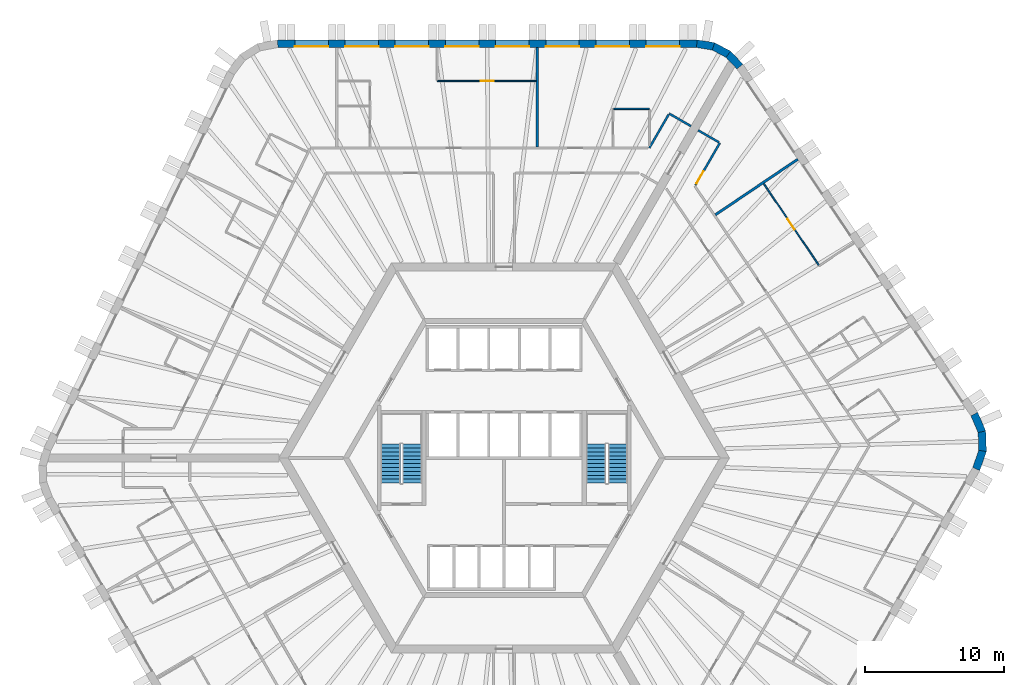
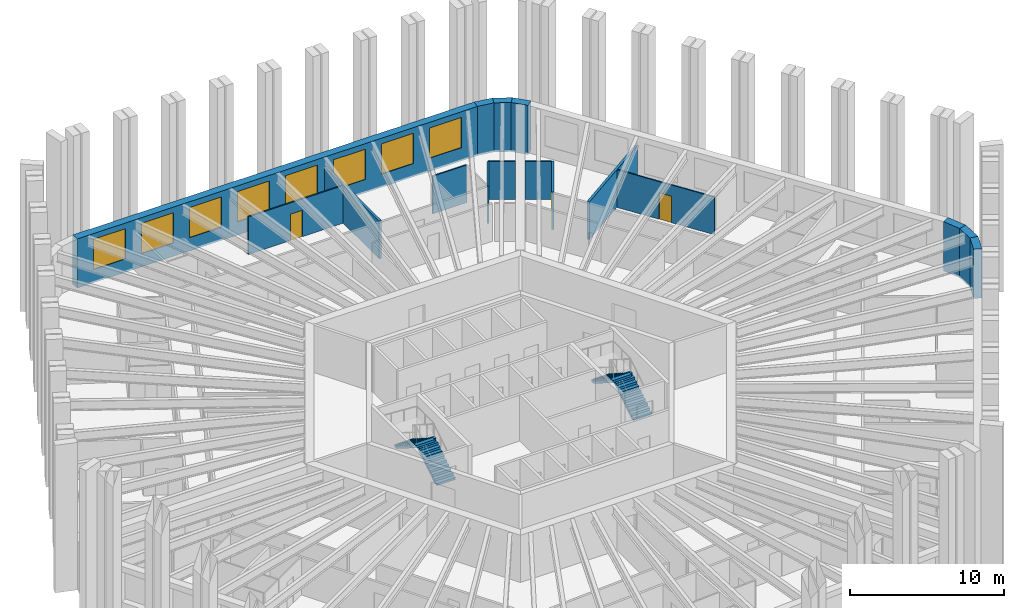
# One storey, part 10 of 12: 16 walls, 8 windows, 4 stair flights, 3 doors, 11 openings, 2 elements without a shape of their own.
"""IFC4 building model written with IfcOpenShell, lengths in metres."""

from ifc_helpers import new_model, si_unit, direction, frame, frame_2d, origin, place, context, subcontext, project, spatial, polyline, rectangle, outline, extrude, material, layer, layer_set, type_object, element, fill, aggregate, save


model = new_model("IFC4")

# Units and contexts
model_context = context("Model", 3, precision=1e-05, world=origin(), true_north=direction((0.0, 1.0)))
body_context = subcontext(model_context, "Body", "Model", "MODEL_VIEW")
ifc_project = project(units=[si_unit("LENGTHUNIT", "METRE"), si_unit("AREAUNIT", "SQUARE_METRE"), si_unit("VOLUMEUNIT", "CUBIC_METRE"), si_unit("PLANEANGLEUNIT", "RADIAN"), si_unit("MASSUNIT", "GRAM", prefix="KILO")], contexts=[model_context])

# Site, building, storey
site_placement = place(None, origin())
site = spatial("IfcSite", under=ifc_project, at=site_placement, CompositionType="ELEMENT")
building_placement = place(site_placement, origin())
building = spatial("IfcBuilding", under=site, at=building_placement, Name="Tarnside Tower", CompositionType="ELEMENT")
storey_placement = place(building_placement, frame((0.0, 0.0, 99.89990234375)))
storey = spatial("IfcBuildingStorey", under=building, at=storey_placement, Name="L22", CompositionType="ELEMENT", Elevation=99.89990234375)

# Walls
ifc_material_1 = material(Name="Gypsum board partition on steel studs", Category="steel")
ifc_layer_1 = layer(ifc_material_1, 0.10009765625)
ifc_layer_set_1 = layer_set([ifc_layer_1], Name="Bathroom wall 100")
wall_type_1 = type_object("IfcWallType", Name="Bathroom wall 100", PredefinedType="PARTITIONING", material=ifc_layer_set_1)
wall_1_placement = place(storey_placement, frame((7.87109375, 25.050048828125, 0.0), z_axis=(0.0, 0.0, 1.0), x_axis=(1.0, 0.0, 0.0)))
element("IfcWall", 1, at=wall_1_placement, inside=storey, type_object=wall_type_1, Name="Bathroom wall 07077", PredefinedType="PARTITIONING", context=body_context, shape_type="SweptSolid", body=[
    extrude(rectangle(XDim=2.550048828125, YDim=0.10009765625, at=frame_2d((1.27490234375, 0.0))), origin(), (0.0, 0.0, 1.0), 2.98779296875),
])
ifc_layer_2 = layer(ifc_material_1, 0.14990234375)
ifc_layer_set_2 = layer_set([ifc_layer_2], Name="Corridor wall 150 EI 60")
wall_type_2 = type_object("IfcWallType", Name="Corridor wall 150 EI 60", PredefinedType="PARTITIONING", material=ifc_layer_set_2)
wall_2_placement = place(storey_placement, frame((13.400390625, 23.81005859375, 0.0), z_axis=(0.0, 0.0, 1.0), x_axis=(-0.865989075817, 0.500062916607, 0.0)))
element("IfcWall", 2, at=wall_2_placement, inside=storey, type_object=wall_type_2, Name="Corridor wall 07002", PredefinedType="PARTITIONING", context=body_context, shape_type="SweptSolid", body=[
    extrude(rectangle(XDim=1.800048828125, YDim=0.14990234375, at=frame_2d((0.89990234375, 0.0))), origin(), (0.0, 0.0, 1.0), 2.98779296875),
])
wall_3_placement = place(storey_placement, frame((11.803955078125, 24.64501953125, 0.0), z_axis=(0.0, 0.0, 1.0), x_axis=(-0.500012835235, -0.866017993231, 0.0)))
element("IfcWall", 3, at=wall_3_placement, inside=storey, type_object=wall_type_2, Name="Corridor wall 07003", PredefinedType="PARTITIONING", context=body_context, shape_type="SweptSolid", body=[
    extrude(rectangle(XDim=2.765625, YDim=0.14990234375, at=frame_2d((1.3828125, 0.0))), origin(), (0.0, 0.0, 1.0), 2.98779296875),
])

# Wall, opening, door
wall_4_placement = place(storey_placement, frame((13.72607421875, 19.573974609375, 0.0), z_axis=(0.0, 0.0, 1.0), x_axis=(0.499951531933, 0.866053385028, 0.0)))
wall_4 = element("IfcWall", 4, at=wall_4_placement, inside=storey, type_object=wall_type_2, Name="Corridor wall 07065", PredefinedType="PARTITIONING", context=body_context, shape_type="SweptSolid", body=[
    extrude(rectangle(XDim=3.505615234375, YDim=0.14990234375, at=frame_2d((1.7529296875, 0.0))), origin(), (0.0, 0.0, 1.0), 2.98779296875),
])
opening_1_placement = place(wall_4_placement, frame((0.14990234375, 0.0, 0.0)))
opening_1 = element("IfcOpeningElement", 5, at=opening_1_placement, cuts=wall_4, Name="Opening D-E1", PredefinedType="OPENING", context=body_context, shape_type="SweptSolid", body=[
    extrude(rectangle(XDim=1.0, YDim=2.10009765625, at=frame_2d((0.5, 1.050048828125))), frame((0.0, 0.0849609375, 0.0), z_axis=(0.0, -1.0, 0.0), x_axis=(1.0, 0.0, 0.0)), (0.0, 0.0, 1.0), 0.169921875),
])
ifc_material_2 = material(Name="Timber door leaf", Category="wood")
door_type_1 = type_object("IfcDoorType", Name="Unit entrance door 1000 FD30S", OperationType="NOTDEFINED", PredefinedType="DOOR", material=ifc_material_2)
door_1_placement = place(opening_1_placement, origin())
door_1 = element("IfcDoor", 6, at=door_1_placement, inside=storey, type_object=door_type_1, Name="Unit door 07041", OperationType="SINGLE_SWING_RIGHT", OverallHeight=2.10009765625, OverallWidth=1.0, PredefinedType="DOOR", context=body_context, shape_type="SweptSolid", body=[
    extrude(rectangle(XDim=1.0, YDim=2.10009765625, at=frame_2d((0.5, 1.050048828125))), frame((0.0, 0.02490234375, 0.0), z_axis=(0.0, -1.0, 0.0), x_axis=(1.0, 0.0, 0.0)), (0.0, 0.0, 1.0), 0.050048828125),
])
fill(opening_1, door_1)

# Walls
wall_5_placement = place(storey_placement, frame((15.413818359375, 22.647705078125, 0.0), z_axis=(0.0, 0.0, 1.0), x_axis=(-0.866074815912, 0.499914405916, 0.0)))
element("IfcWall", 7, at=wall_5_placement, inside=storey, type_object=wall_type_2, Name="Corridor wall 07066", PredefinedType="PARTITIONING", context=body_context, shape_type="SweptSolid", body=[
    extrude(rectangle(XDim=1.724853515625, YDim=0.14990234375, at=frame_2d((0.8623046875, 0.0))), origin(), (0.0, 0.0, 1.0), 2.98779296875),
])
ifc_layer_3 = layer(ifc_material_1, 0.179931640625)
ifc_layer_set_3 = layer_set([ifc_layer_3], Name="Demising wall 180 EI 60")
wall_type_3 = type_object("IfcWallType", Name="Demising wall 180 EI 60", PredefinedType="PARTITIONING", material=ifc_layer_set_3)
for number, where, z_axis, x_axis, name in (
    (8, (2.388916015625, 29.449951171875, 0.0), (0.0, 0.0, 1.0), (0.0, -1.0, 0.0), "Demising wall 07079"),
    (9, (21.066162109375, 21.433349609375, 0.0), (0.0, 0.0, 1.0), (-0.829022625118, -0.559215063318, 0.0), "Demising wall 07156"),
):
    element("IfcWall", number, at=place(storey_placement, frame(where, z_axis=z_axis, x_axis=x_axis)), inside=storey, type_object=wall_type_3, Name=name, PredefinedType="PARTITIONING", context=body_context, shape_type="SweptSolid", body=[
        extrude(rectangle(XDim=7.125, YDim=0.179931640625, at=frame_2d((3.5625, 0.0))), origin(), (0.0, 0.0, 1.0), 2.98779296875),
    ])

# Wall, opening, door
ifc_layer_4 = layer(ifc_material_1, 0.10009765625)
ifc_layer_set_4 = layer_set([ifc_layer_4], Name="Partition 100")
wall_type_4 = type_object("IfcWallType", Name="Partition 100", PredefinedType="PARTITIONING", material=ifc_layer_set_4)
wall_6_placement = place(storey_placement, frame((2.298828125, 27.050048828125, 0.0), z_axis=(0.0, 0.0, 1.0), x_axis=(-1.0, 0.0, 0.0)))
wall_6 = element("IfcWall", 10, at=wall_6_placement, inside=storey, type_object=wall_type_4, Name="Partition wall 07084", PredefinedType="PARTITIONING", context=body_context, shape_type="SweptSolid", body=[
    extrude(rectangle(XDim=7.10986328125, YDim=0.10009765625, at=frame_2d((3.554931640625, 0.0))), origin(), (0.0, 0.0, 1.0), 2.98779296875),
])
opening_2_placement = place(wall_6_placement, frame((3.06005859375, 0.0, 0.0)))
opening_2 = element("IfcOpeningElement", 11, at=opening_2_placement, cuts=wall_6, Name="Opening D-I1", PredefinedType="OPENING", context=body_context, shape_type="SweptSolid", body=[
    extrude(rectangle(XDim=0.89990234375, YDim=2.10009765625, at=frame_2d((0.449951171875, 1.050048828125))), frame((0.0, 0.06005859375, 0.0), z_axis=(0.0, -1.0, 0.0), x_axis=(1.0, 0.0, 0.0)), (0.0, 0.0, 1.0), 0.1201171875),
])
door_type_2 = type_object("IfcDoorType", Name="Internal door 900", OperationType="NOTDEFINED", PredefinedType="DOOR", material=ifc_material_2)
door_2_placement = place(opening_2_placement, origin())
door_2 = element("IfcDoor", 12, at=door_2_placement, inside=storey, type_object=door_type_2, Name="Internal door 07006", OperationType="SINGLE_SWING_RIGHT", OverallHeight=2.10009765625, OverallWidth=0.89990234375, PredefinedType="DOOR", context=body_context, shape_type="SweptSolid", body=[
    extrude(rectangle(XDim=0.89990234375, YDim=2.10009765625, at=frame_2d((0.449951171875, 1.050048828125))), frame((0.0, 0.02490234375, 0.0), z_axis=(0.0, -1.0, 0.0), x_axis=(1.0, 0.0, 0.0)), (0.0, 0.0, 1.0), 0.050048828125),
])
fill(opening_2, door_2)

wall_7_placement = place(storey_placement, frame((22.577392578125, 13.828125, 0.0), z_axis=(0.0, 0.0, 1.0), x_axis=(-0.559200813603, 0.829032237049, 0.0)))
wall_7 = element("IfcWall", 13, at=wall_7_placement, inside=storey, type_object=wall_type_4, Name="Partition wall 07155", PredefinedType="PARTITIONING", context=body_context, shape_type="SweptSolid", body=[
    extrude(rectangle(XDim=7.06005859375, YDim=0.10009765625, at=frame_2d((3.530029296875, 0.0))), origin(), (0.0, 0.0, 1.0), 2.98779296875),
])
opening_3_placement = place(wall_7_placement, frame((3.10009765625, 0.0, 0.0)))
opening_3 = element("IfcOpeningElement", 14, at=opening_3_placement, cuts=wall_7, Name="Opening D-I1", PredefinedType="OPENING", context=body_context, shape_type="SweptSolid", body=[
    extrude(rectangle(XDim=0.89990234375, YDim=2.10009765625, at=frame_2d((0.449951171875, 1.050048828125))), frame((0.0, 0.06005859375, 0.0), z_axis=(0.0, -1.0, 0.0), x_axis=(1.0, 0.0, 0.0)), (0.0, 0.0, 1.0), 0.1201171875),
])
door_3_placement = place(opening_3_placement, origin())
door_3 = element("IfcDoor", 15, at=door_3_placement, inside=storey, type_object=door_type_2, Name="Internal door 07040", OperationType="SINGLE_SWING_LEFT", OverallHeight=2.10009765625, OverallWidth=0.89990234375, PredefinedType="DOOR", context=body_context, shape_type="SweptSolid", body=[
    extrude(rectangle(XDim=0.89990234375, YDim=2.10009765625, at=frame_2d((0.449951171875, 1.050048828125))), frame((0.0, 0.02490234375, 0.0), z_axis=(0.0, -1.0, 0.0), x_axis=(1.0, 0.0, 0.0)), (0.0, 0.0, 1.0), 0.050048828125),
])
fill(opening_3, door_3)

# Wall, openings, windows
ifc_material_3 = material(Name="Facing brick", Category="masonry")
ifc_layer_5 = layer(ifc_material_3, 0.10205078125)
ifc_material_4 = material(Name="Concrete C60/75 precast", Category="concrete")
ifc_layer_6 = layer(ifc_material_4, 0.347900390625)
ifc_material_5 = material(Name="Mineral wool insulation")
ifc_layer_7 = layer(ifc_material_5, 0.10009765625)
ifc_layer_set_5 = layer_set([ifc_layer_5, ifc_layer_6, ifc_layer_7], Name="Tube wall 550 brick faced")
wall_type_5 = type_object("IfcWallType", Name="Tube wall 550 brick faced", PredefinedType="SOLIDWALL", material=ifc_layer_set_5)
wall_8_placement = place(storey_placement, frame((13.824462890625, 29.72509765625, -0.14990234375), z_axis=(0.0, 0.0, 1.0), x_axis=(-1.0, 0.0, 0.0)))
wall_8 = element("IfcWall", 16, at=wall_8_placement, inside=storey, type_object=wall_type_5, Name="Tube wall L22 F1 flush 00", PredefinedType="SOLIDWALL", context=body_context, shape_type="SweptSolid", body=[
    extrude(outline(polyline([(-0.0224609375, -0.27490234375), (30.0966796875, -0.27490234375), (30.04541015625, 0.27490234375), (0.0224609375, 0.27490234375), (-0.0224609375, -0.27490234375)])), origin(), (0.0, 0.0, 1.0), 3.89990234375),
])
opening_4_placement = place(wall_8_placement, frame((1.235595703125, 0.0, 1.050048828125)))
opening_4 = element("IfcOpeningElement", 17, at=opening_4_placement, cuts=wall_8, Name="Opening WH", PredefinedType="OPENING", context=body_context, shape_type="SweptSolid", body=[
    extrude(rectangle(XDim=2.39990234375, YDim=2.39990234375, at=frame_2d((1.199951171875, 1.199951171875))), frame((0.0, 0.28515625, 0.0), z_axis=(0.0, -1.0, 0.0), x_axis=(1.0, 0.0, 0.0)), (0.0, 0.0, 1.0), 0.570068359375),
])
opening_5_placement = place(wall_8_placement, frame((4.83544921875, 0.0, 1.050048828125)))
opening_5 = element("IfcOpeningElement", 18, at=opening_5_placement, cuts=wall_8, Name="Opening WH", PredefinedType="OPENING", context=body_context, shape_type="SweptSolid", body=[
    extrude(rectangle(XDim=2.39990234375, YDim=2.39990234375, at=frame_2d((1.199951171875, 1.199951171875))), frame((0.0, 0.28515625, 0.0), z_axis=(0.0, -1.0, 0.0), x_axis=(1.0, 0.0, 0.0)), (0.0, 0.0, 1.0), 0.570068359375),
])
opening_6_placement = place(wall_8_placement, frame((8.435546875, 0.0, 1.050048828125)))
opening_6 = element("IfcOpeningElement", 19, at=opening_6_placement, cuts=wall_8, Name="Opening WH", PredefinedType="OPENING", context=body_context, shape_type="SweptSolid", body=[
    extrude(rectangle(XDim=2.39990234375, YDim=2.39990234375, at=frame_2d((1.199951171875, 1.199951171875))), frame((0.0, 0.28515625, 0.0), z_axis=(0.0, -1.0, 0.0), x_axis=(1.0, 0.0, 0.0)), (0.0, 0.0, 1.0), 0.570068359375),
])
opening_7_placement = place(wall_8_placement, frame((12.035400390625, 0.0, 1.050048828125)))
opening_7 = element("IfcOpeningElement", 20, at=opening_7_placement, cuts=wall_8, Name="Opening WH", PredefinedType="OPENING", context=body_context, shape_type="SweptSolid", body=[
    extrude(rectangle(XDim=2.39990234375, YDim=2.39990234375, at=frame_2d((1.199951171875, 1.199951171875))), frame((0.0, 0.28515625, 0.0), z_axis=(0.0, -1.0, 0.0), x_axis=(1.0, 0.0, 0.0)), (0.0, 0.0, 1.0), 0.570068359375),
])
opening_8_placement = place(wall_8_placement, frame((15.635498046875, 0.0, 1.050048828125)))
opening_8 = element("IfcOpeningElement", 21, at=opening_8_placement, cuts=wall_8, Name="Opening WH", PredefinedType="OPENING", context=body_context, shape_type="SweptSolid", body=[
    extrude(rectangle(XDim=2.39990234375, YDim=2.39990234375, at=frame_2d((1.199951171875, 1.199951171875))), frame((0.0, 0.28515625, 0.0), z_axis=(0.0, -1.0, 0.0), x_axis=(1.0, 0.0, 0.0)), (0.0, 0.0, 1.0), 0.570068359375),
])
opening_9_placement = place(wall_8_placement, frame((19.235595703125, 0.0, 1.050048828125)))
opening_9 = element("IfcOpeningElement", 22, at=opening_9_placement, cuts=wall_8, Name="Opening WH", PredefinedType="OPENING", context=body_context, shape_type="SweptSolid", body=[
    extrude(rectangle(XDim=2.39990234375, YDim=2.39990234375, at=frame_2d((1.199951171875, 1.199951171875))), frame((0.0, 0.28515625, 0.0), z_axis=(0.0, -1.0, 0.0), x_axis=(1.0, 0.0, 0.0)), (0.0, 0.0, 1.0), 0.570068359375),
])
opening_10_placement = place(wall_8_placement, frame((22.83544921875, 0.0, 1.050048828125)))
opening_10 = element("IfcOpeningElement", 23, at=opening_10_placement, cuts=wall_8, Name="Opening WH", PredefinedType="OPENING", context=body_context, shape_type="SweptSolid", body=[
    extrude(rectangle(XDim=2.39990234375, YDim=2.39990234375, at=frame_2d((1.199951171875, 1.199951171875))), frame((0.0, 0.28515625, 0.0), z_axis=(0.0, -1.0, 0.0), x_axis=(1.0, 0.0, 0.0)), (0.0, 0.0, 1.0), 0.570068359375),
])
opening_11_placement = place(wall_8_placement, frame((26.435546875, 0.0, 1.050048828125)))
opening_11 = element("IfcOpeningElement", 24, at=opening_11_placement, cuts=wall_8, Name="Opening WH", PredefinedType="OPENING", context=body_context, shape_type="SweptSolid", body=[
    extrude(rectangle(XDim=2.39990234375, YDim=2.39990234375, at=frame_2d((1.199951171875, 1.199951171875))), frame((0.0, 0.28515625, 0.0), z_axis=(0.0, -1.0, 0.0), x_axis=(1.0, 0.0, 0.0)), (0.0, 0.0, 1.0), 0.570068359375),
])
ifc_material_6 = material(Name="Aluminium-framed double glazing", Category="aluminium")
window_type = type_object("IfcWindowType", Name="Hotel window 2400 x 2400", PartitioningType="DOUBLE_PANEL_VERTICAL", PredefinedType="WINDOW", material=ifc_material_6)
window_1_placement = place(opening_4_placement, frame((0.0, 0.205078125, 0.0)))
window_1 = element("IfcWindow", 25, at=window_1_placement, inside=storey, type_object=window_type, Name="E.WN.L22.F1.00", OverallHeight=2.39990234375, OverallWidth=2.39990234375, PartitioningType="DOUBLE_PANEL_VERTICAL", PredefinedType="WINDOW", context=body_context, shape_type="SweptSolid", body=[
    extrude(rectangle(XDim=2.39990234375, YDim=2.39990234375, at=frame_2d((1.199951171875, 1.199951171875))), frame((0.0, 0.030029296875, 0.0), z_axis=(0.0, -1.0, 0.0), x_axis=(1.0, 0.0, 0.0)), (0.0, 0.0, 1.0), 0.06005859375),
])
fill(opening_4, window_1)
window_2_placement = place(opening_5_placement, frame((0.0, 0.205078125, 0.0)))
window_2 = element("IfcWindow", 26, at=window_2_placement, inside=storey, type_object=window_type, Name="E.WN.L22.F1.01", OverallHeight=2.39990234375, OverallWidth=2.39990234375, PartitioningType="DOUBLE_PANEL_VERTICAL", PredefinedType="WINDOW", context=body_context, shape_type="SweptSolid", body=[
    extrude(rectangle(XDim=2.39990234375, YDim=2.39990234375, at=frame_2d((1.199951171875, 1.199951171875))), frame((0.0, 0.030029296875, 0.0), z_axis=(0.0, -1.0, 0.0), x_axis=(1.0, 0.0, 0.0)), (0.0, 0.0, 1.0), 0.06005859375),
])
fill(opening_5, window_2)
window_3_placement = place(opening_6_placement, frame((0.0, 0.205078125, 0.0)))
window_3 = element("IfcWindow", 27, at=window_3_placement, inside=storey, type_object=window_type, Name="E.WN.L22.F1.02", OverallHeight=2.39990234375, OverallWidth=2.39990234375, PartitioningType="DOUBLE_PANEL_VERTICAL", PredefinedType="WINDOW", context=body_context, shape_type="SweptSolid", body=[
    extrude(rectangle(XDim=2.39990234375, YDim=2.39990234375, at=frame_2d((1.199951171875, 1.199951171875))), frame((0.0, 0.030029296875, 0.0), z_axis=(0.0, -1.0, 0.0), x_axis=(1.0, 0.0, 0.0)), (0.0, 0.0, 1.0), 0.06005859375),
])
fill(opening_6, window_3)
window_4_placement = place(opening_7_placement, frame((0.0, 0.205078125, 0.0)))
window_4 = element("IfcWindow", 28, at=window_4_placement, inside=storey, type_object=window_type, Name="E.WN.L22.F1.03", OverallHeight=2.39990234375, OverallWidth=2.39990234375, PartitioningType="DOUBLE_PANEL_VERTICAL", PredefinedType="WINDOW", context=body_context, shape_type="SweptSolid", body=[
    extrude(rectangle(XDim=2.39990234375, YDim=2.39990234375, at=frame_2d((1.199951171875, 1.199951171875))), frame((0.0, 0.030029296875, 0.0), z_axis=(0.0, -1.0, 0.0), x_axis=(1.0, 0.0, 0.0)), (0.0, 0.0, 1.0), 0.06005859375),
])
fill(opening_7, window_4)
window_5_placement = place(opening_8_placement, frame((0.0, 0.205078125, 0.0)))
window_5 = element("IfcWindow", 29, at=window_5_placement, inside=storey, type_object=window_type, Name="E.WN.L22.F1.04", OverallHeight=2.39990234375, OverallWidth=2.39990234375, PartitioningType="DOUBLE_PANEL_VERTICAL", PredefinedType="WINDOW", context=body_context, shape_type="SweptSolid", body=[
    extrude(rectangle(XDim=2.39990234375, YDim=2.39990234375, at=frame_2d((1.199951171875, 1.199951171875))), frame((0.0, 0.030029296875, 0.0), z_axis=(0.0, -1.0, 0.0), x_axis=(1.0, 0.0, 0.0)), (0.0, 0.0, 1.0), 0.06005859375),
])
fill(opening_8, window_5)
window_6_placement = place(opening_9_placement, frame((0.0, 0.205078125, 0.0)))
window_6 = element("IfcWindow", 30, at=window_6_placement, inside=storey, type_object=window_type, Name="E.WN.L22.F1.05", OverallHeight=2.39990234375, OverallWidth=2.39990234375, PartitioningType="DOUBLE_PANEL_VERTICAL", PredefinedType="WINDOW", context=body_context, shape_type="SweptSolid", body=[
    extrude(rectangle(XDim=2.39990234375, YDim=2.39990234375, at=frame_2d((1.199951171875, 1.199951171875))), frame((0.0, 0.030029296875, 0.0), z_axis=(0.0, -1.0, 0.0), x_axis=(1.0, 0.0, 0.0)), (0.0, 0.0, 1.0), 0.06005859375),
])
fill(opening_9, window_6)
window_7_placement = place(opening_10_placement, frame((0.0, 0.205078125, 0.0)))
window_7 = element("IfcWindow", 31, at=window_7_placement, inside=storey, type_object=window_type, Name="E.WN.L22.F1.06", OverallHeight=2.39990234375, OverallWidth=2.39990234375, PartitioningType="DOUBLE_PANEL_VERTICAL", PredefinedType="WINDOW", context=body_context, shape_type="SweptSolid", body=[
    extrude(rectangle(XDim=2.39990234375, YDim=2.39990234375, at=frame_2d((1.199951171875, 1.199951171875))), frame((0.0, 0.030029296875, 0.0), z_axis=(0.0, -1.0, 0.0), x_axis=(1.0, 0.0, 0.0)), (0.0, 0.0, 1.0), 0.06005859375),
])
fill(opening_10, window_7)
window_8_placement = place(opening_11_placement, frame((0.0, 0.205078125, 0.0)))
window_8 = element("IfcWindow", 32, at=window_8_placement, inside=storey, type_object=window_type, Name="E.WN.L22.F1.07", OverallHeight=2.39990234375, OverallWidth=2.39990234375, PartitioningType="DOUBLE_PANEL_VERTICAL", PredefinedType="WINDOW", context=body_context, shape_type="SweptSolid", body=[
    extrude(rectangle(XDim=2.39990234375, YDim=2.39990234375, at=frame_2d((1.199951171875, 1.199951171875))), frame((0.0, 0.030029296875, 0.0), z_axis=(0.0, -1.0, 0.0), x_axis=(1.0, 0.0, 0.0)), (0.0, 0.0, 1.0), 0.06005859375),
])
fill(opening_11, window_8)

# Walls
wall_9_placement = place(storey_placement, frame((33.865966796875, -0.79248046875, -0.14990234375), z_axis=(0.0, 0.0, 1.0), x_axis=(0.33111537203, 0.943590276765, 0.0)))
element("IfcWall", 33, at=wall_9_placement, inside=storey, type_object=wall_type_5, Name="Tube wall L22 F5 chord 17", PredefinedType="SOLIDWALL", context=body_context, shape_type="SweptSolid", body=[
    extrude(outline(polyline([(-0.025634765625, -0.27490234375), (1.4306640625, -0.27490234375), (1.3271484375, 0.27490234375), (0.025634765625, 0.27490234375), (-0.025634765625, -0.27490234375)])), origin(), (0.0, 0.0, 1.0), 3.89990234375),
])
wall_10_placement = place(storey_placement, frame((34.322509765625, 0.508544921875, -0.14990234375), z_axis=(0.0, 0.0, 1.0), x_axis=(-0.034876908462, 0.999391615562, 0.0)))
element("IfcWall", 34, at=wall_10_placement, inside=storey, type_object=wall_type_5, Name="Tube wall L22 F5 chord 18", PredefinedType="SOLIDWALL", context=body_context, shape_type="SweptSolid", body=[
    extrude(outline(polyline([(-0.0517578125, -0.27490234375), (1.4306640625, -0.27490234375), (1.3271484375, 0.27490234375), (0.0517578125, 0.27490234375), (-0.0517578125, -0.27490234375)])), origin(), (0.0, 0.0, 1.0), 3.89990234375),
])
wall_11_placement = place(storey_placement, frame((34.2744140625, 1.88671875, -0.14990234375), z_axis=(0.0, 0.0, 1.0), x_axis=(-0.396161342798, 0.918180913803, 0.0)))
element("IfcWall", 35, at=wall_11_placement, inside=storey, type_object=wall_type_5, Name="Tube wall L22 F5 chord 19", PredefinedType="SOLIDWALL", context=body_context, shape_type="SweptSolid", body=[
    extrude(outline(polyline([(-0.0517578125, -0.27490234375), (1.40478515625, -0.27490234375), (1.353515625, 0.27490234375), (0.0517578125, 0.27490234375), (-0.0517578125, -0.27490234375)])), origin(), (0.0, 0.0, 1.0), 3.89990234375),
])
wall_12_placement = place(storey_placement, frame((16.91259765625, 28.0830078125, -0.14990234375), z_axis=(0.0, 0.0, 1.0), x_axis=(-0.686196220404, 0.727416488061, 0.0)))
element("IfcWall", 36, at=wall_12_placement, inside=storey, type_object=wall_type_5, Name="Tube wall L22 F6 chord 21", PredefinedType="SOLIDWALL", context=body_context, shape_type="SweptSolid", body=[
    extrude(outline(polyline([(-0.0224609375, -0.27490234375), (1.25341796875, -0.27490234375), (1.1630859375, 0.27490234375), (0.0224609375, 0.27490234375), (-0.0224609375, -0.27490234375)])), origin(), (0.0, 0.0, 1.0), 3.89990234375),
])
wall_13_placement = place(storey_placement, frame((16.08349609375, 28.9619140625, -0.14990234375), z_axis=(0.0, 0.0, 1.0), x_axis=(-0.882995347911, 0.469381737574, 0.0)))
element("IfcWall", 37, at=wall_13_placement, inside=storey, type_object=wall_type_5, Name="Tube wall L22 F6 chord 22", PredefinedType="SOLIDWALL", context=body_context, shape_type="SweptSolid", body=[
    extrude(outline(polyline([(-0.045166015625, -0.27490234375), (1.25341796875, -0.27490234375), (1.1630859375, 0.27490234375), (0.045166015625, 0.27490234375), (-0.045166015625, -0.27490234375)])), origin(), (0.0, 0.0, 1.0), 3.89990234375),
])
wall_14_placement = place(storey_placement, frame((15.0166015625, 29.529052734375, -0.14990234375), z_axis=(0.0, 0.0, 1.0), x_axis=(-0.986746625868, 0.162268593195, 0.0)))
element("IfcWall", 38, at=wall_14_placement, inside=storey, type_object=wall_type_5, Name="Tube wall L22 F6 chord 23", PredefinedType="SOLIDWALL", context=body_context, shape_type="SweptSolid", body=[
    extrude(outline(polyline([(-0.045166015625, -0.27490234375), (1.230712890625, -0.27490234375), (1.185791015625, 0.27490234375), (0.045166015625, 0.27490234375), (-0.045166015625, -0.27490234375)])), origin(), (0.0, 0.0, 1.0), 3.89990234375),
])

# Stair, stair flights
ifc_material_7 = material(Name="Concrete C40/50", Category="concrete")
stair_type = type_object("IfcStairType", Name="Exit stair 1400 clear", PredefinedType="HALF_TURN_STAIR", material=ifc_material_7)
stair_1_placement = place(storey_placement, origin())
stair_1 = element("IfcStair", 39, at=stair_1_placement, inside=storey, type_object=stair_type, Name="L22 Exit stair 1", PredefinedType="HALF_TURN_STAIR")
stair_flight_type = type_object("IfcStairFlightType", Name="Exit stair flight 1400", PredefinedType="STRAIGHT", material=ifc_material_7)
stair_flight_1_placement = place(storey_placement, frame((8.14990234375, -1.800048828125, 0.0), z_axis=(0.0, 0.0, 1.0), x_axis=(0.0, 1.0, 0.0)))
stair_flight_1 = element("IfcStairFlight", 40, at=stair_flight_1_placement, type_object=stair_flight_type, Name="ST1 flight 1", NumberOfRisers=11, NumberOfTreads=10, PredefinedType="STRAIGHT", RiserHeight=0.177272727, TreadLength=0.28, context=body_context, shape_type="SweptSolid", body=[
    extrude(outline(polyline([(0.0, 0.0), (0.0, 0.17724609375), (0.280029296875, 0.17724609375), (0.280029296875, 0.3544921875), (0.56005859375, 0.3544921875), (0.56005859375, 0.53173828125), (0.840087890625, 0.53173828125), (0.840087890625, 0.708984375), (1.1201171875, 0.708984375), (1.1201171875, 0.886474609375), (1.39990234375, 0.886474609375), (1.39990234375, 1.063720703125), (1.679931640625, 1.063720703125), (1.679931640625, 1.240966796875), (1.9599609375, 1.240966796875), (1.9599609375, 1.418212890625), (2.239990234375, 1.418212890625), (2.239990234375, 1.595458984375), (2.52001953125, 1.595458984375), (2.52001953125, 1.772705078125), (2.800048828125, 1.772705078125), (2.800048828125, 1.949951171875), (2.800048828125, 1.59521484375), (0.2802734375, 0.0), (0.0, 0.0)])), frame((0.0, 0.699951171875, 0.0), z_axis=(0.0, -1.0, 0.0), x_axis=(1.0, 0.0, 0.0)), (0.0, 0.0, 1.0), 1.39990234375),
])
stair_flight_2_placement = place(storey_placement, frame((6.60009765625, 1.0, 1.9501953125), z_axis=(0.0, 0.0, 1.0), x_axis=(0.0, -1.0, 0.0)))
stair_flight_2 = element("IfcStairFlight", 41, at=stair_flight_2_placement, type_object=stair_flight_type, Name="ST1 flight 2", NumberOfRisers=11, NumberOfTreads=10, PredefinedType="STRAIGHT", RiserHeight=0.177272727, TreadLength=0.28, context=body_context, shape_type="SweptSolid", body=[
    extrude(outline(polyline([(0.0, 0.0), (0.0, 0.17724609375), (0.280029296875, 0.17724609375), (0.280029296875, 0.3544921875), (0.56005859375, 0.3544921875), (0.56005859375, 0.53173828125), (0.840087890625, 0.53173828125), (0.840087890625, 0.708984375), (1.1201171875, 0.708984375), (1.1201171875, 0.886474609375), (1.39990234375, 0.886474609375), (1.39990234375, 1.063720703125), (1.679931640625, 1.063720703125), (1.679931640625, 1.240966796875), (1.9599609375, 1.240966796875), (1.9599609375, 1.418212890625), (2.239990234375, 1.418212890625), (2.239990234375, 1.595458984375), (2.52001953125, 1.595458984375), (2.52001953125, 1.772705078125), (2.800048828125, 1.772705078125), (2.800048828125, 1.949951171875), (2.800048828125, 1.59521484375), (0.2802734375, 0.0), (0.0, 0.0)])), frame((0.0, 0.699951171875, 0.0), z_axis=(0.0, -1.0, 0.0), x_axis=(1.0, 0.0, 0.0)), (0.0, 0.0, 1.0), 1.39990234375),
])
aggregate(stair_1, [stair_flight_1, stair_flight_2])

stair_2_placement = place(storey_placement, origin())
stair_2 = element("IfcStair", 42, at=stair_2_placement, inside=storey, type_object=stair_type, Name="L22 Exit stair 2", PredefinedType="HALF_TURN_STAIR")
stair_flight_3_placement = place(storey_placement, frame((-6.60009765625, -1.800048828125, 0.0), z_axis=(0.0, 0.0, 1.0), x_axis=(0.0, 1.0, 0.0)))
stair_flight_3 = element("IfcStairFlight", 43, at=stair_flight_3_placement, type_object=stair_flight_type, Name="ST2 flight 1", NumberOfRisers=11, NumberOfTreads=10, PredefinedType="STRAIGHT", RiserHeight=0.177272727, TreadLength=0.28, context=body_context, shape_type="SweptSolid", body=[
    extrude(outline(polyline([(0.0, 0.0), (0.0, 0.17724609375), (0.280029296875, 0.17724609375), (0.280029296875, 0.3544921875), (0.56005859375, 0.3544921875), (0.56005859375, 0.53173828125), (0.840087890625, 0.53173828125), (0.840087890625, 0.708984375), (1.1201171875, 0.708984375), (1.1201171875, 0.886474609375), (1.39990234375, 0.886474609375), (1.39990234375, 1.063720703125), (1.679931640625, 1.063720703125), (1.679931640625, 1.240966796875), (1.9599609375, 1.240966796875), (1.9599609375, 1.418212890625), (2.239990234375, 1.418212890625), (2.239990234375, 1.595458984375), (2.52001953125, 1.595458984375), (2.52001953125, 1.772705078125), (2.800048828125, 1.772705078125), (2.800048828125, 1.949951171875), (2.800048828125, 1.59521484375), (0.2802734375, 0.0), (0.0, 0.0)])), frame((0.0, 0.699951171875, 0.0), z_axis=(0.0, -1.0, 0.0), x_axis=(1.0, 0.0, 0.0)), (0.0, 0.0, 1.0), 1.39990234375),
])
stair_flight_4_placement = place(storey_placement, frame((-8.14990234375, 1.0, 1.9501953125), z_axis=(0.0, 0.0, 1.0), x_axis=(0.0, -1.0, 0.0)))
stair_flight_4 = element("IfcStairFlight", 44, at=stair_flight_4_placement, type_object=stair_flight_type, Name="ST2 flight 2", NumberOfRisers=11, NumberOfTreads=10, PredefinedType="STRAIGHT", RiserHeight=0.177272727, TreadLength=0.28, context=body_context, shape_type="SweptSolid", body=[
    extrude(outline(polyline([(0.0, 0.0), (0.0, 0.17724609375), (0.280029296875, 0.17724609375), (0.280029296875, 0.3544921875), (0.56005859375, 0.3544921875), (0.56005859375, 0.53173828125), (0.840087890625, 0.53173828125), (0.840087890625, 0.708984375), (1.1201171875, 0.708984375), (1.1201171875, 0.886474609375), (1.39990234375, 0.886474609375), (1.39990234375, 1.063720703125), (1.679931640625, 1.063720703125), (1.679931640625, 1.240966796875), (1.9599609375, 1.240966796875), (1.9599609375, 1.418212890625), (2.239990234375, 1.418212890625), (2.239990234375, 1.595458984375), (2.52001953125, 1.595458984375), (2.52001953125, 1.772705078125), (2.800048828125, 1.772705078125), (2.800048828125, 1.949951171875), (2.800048828125, 1.59521484375), (0.2802734375, 0.0), (0.0, 0.0)])), frame((0.0, 0.699951171875, 0.0), z_axis=(0.0, -1.0, 0.0), x_axis=(1.0, 0.0, 0.0)), (0.0, 0.0, 1.0), 1.39990234375),
])
aggregate(stair_2, [stair_flight_3, stair_flight_4])

save(model, "model.ifc")
